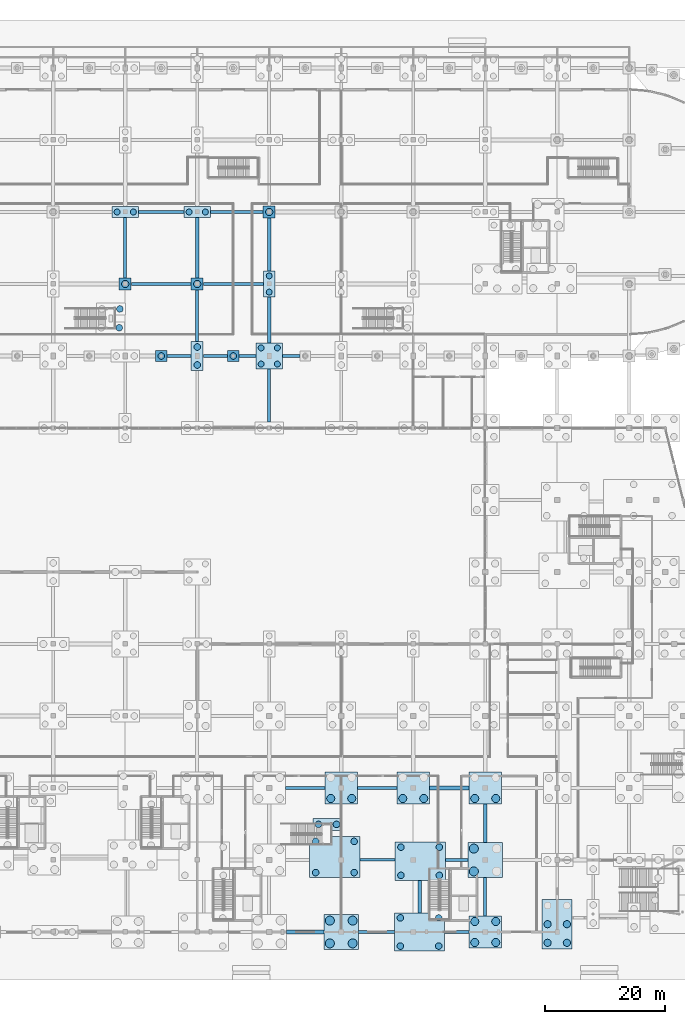
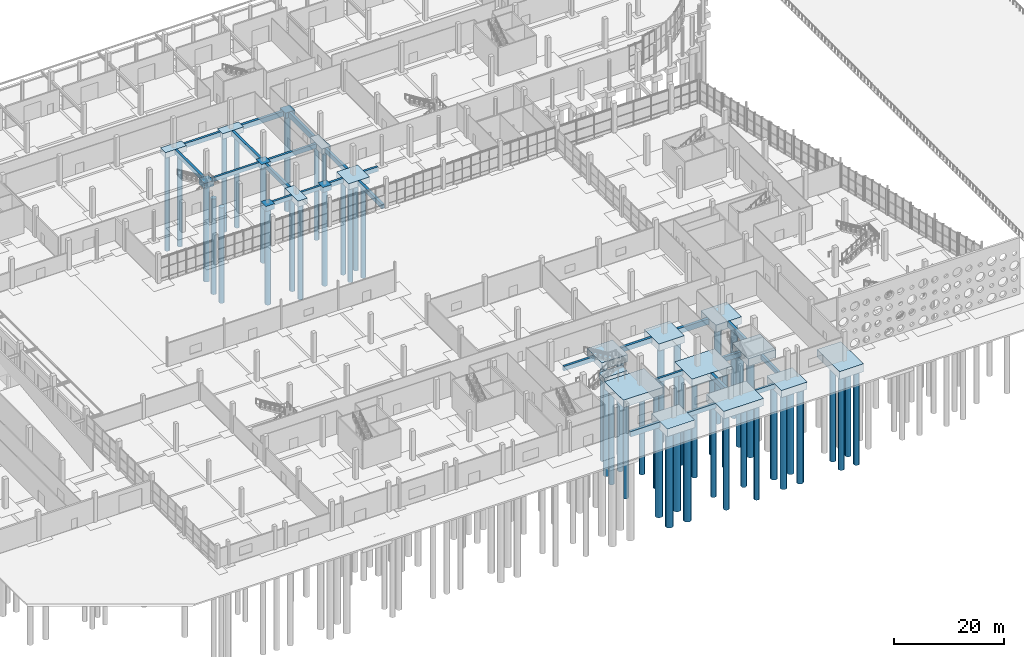
# One storey, part 7 of 117: 53 piles, 46 footings.
"""IFC4 building model written with IfcOpenShell, lengths in metres."""

from ifc_helpers import new_model, si_unit, direction, frame, origin, origin_2d, place, context, subcontext, project, spatial, rectangle, circle, extrude, material, material_profile, profile_set, type_object, element, save


model = new_model("IFC4")

# Units and contexts
model_context = context("Model", 3, precision=1e-05, world=origin(), true_north=direction((0.0, 1.0)))
body_context = subcontext(model_context, "Body", "Model", "MODEL_VIEW")
ifc_project = project(units=[si_unit("LENGTHUNIT", "METRE"), si_unit("AREAUNIT", "SQUARE_METRE"), si_unit("VOLUMEUNIT", "CUBIC_METRE"), si_unit("PLANEANGLEUNIT", "RADIAN"), si_unit("MASSUNIT", "GRAM", prefix="KILO")], contexts=[model_context])

# Site, building, storey
site_placement = place(None, origin())
site = spatial("IfcSite", under=ifc_project, at=site_placement, CompositionType="ELEMENT")
building_placement = place(site_placement, origin())
building = spatial("IfcBuilding", under=site, at=building_placement, Name="Kamomehara Wholesale Market", CompositionType="ELEMENT")
storey_placement = place(building_placement, origin())
storey = spatial("IfcBuildingStorey", under=building, at=storey_placement, Name="L00", CompositionType="ELEMENT", Elevation=0.0)

# Footings
ifc_material_1 = material(Name="Concrete Fc30 (C30/37)", Category="concrete")
footing_type_1 = type_object("IfcFootingType", Name="CAP-1P-1850", PredefinedType="PILE_CAP", material=ifc_material_1)
for number, where, z_axis, x_axis, name in (
    (1, (102.0, 108.0, -1.14990234375), (0.0, 0.0, 1.0), (1.0, 0.0, 0.0), "Pile cap PC-02"),
    (2, (114.0, 108.0, -1.14990234375), (0.0, 0.0, 1.0), (1.0, 0.0, 0.0), "Pile cap PC-02"),
):
    element("IfcFooting", number, at=place(storey_placement, frame(where, z_axis=z_axis, x_axis=x_axis)), inside=storey, type_object=footing_type_1, Name=name, PredefinedType="PILE_CAP", context=body_context, shape_type="SweptSolid", body=[
        extrude(rectangle(XDim=1.85009765625, YDim=1.85009765625, at=origin_2d()), origin(), (0.0, 0.0, 1.0), 1.14990234375),
    ])
ifc_material_2 = material(Name="Concrete Fc30 (C30/37)", Category="concrete")
footing_type_2 = type_object("IfcFootingType", Name="CAP-1P-2000", PredefinedType="PILE_CAP", material=ifc_material_2)
for number, where, z_axis, x_axis, name in (
    (3, (96.0, 120.0, -1.2001953125), (0.0, 0.0, 1.0), (1.0, 0.0, 0.0), "Pile cap PC-03"),
    (4, (108.0, 120.0, -1.2001953125), (0.0, 0.0, 1.0), (1.0, 0.0, 0.0), "Pile cap PC-03"),
    (5, (120.0, 132.0, -1.2001953125), (0.0, 0.0, 1.0), (1.0, 0.0, 0.0), "Pile cap PC-03"),
):
    element("IfcFooting", number, at=place(storey_placement, frame(where, z_axis=z_axis, x_axis=x_axis)), inside=storey, type_object=footing_type_2, Name=name, PredefinedType="PILE_CAP", context=body_context, shape_type="SweptSolid", body=[
        extrude(rectangle(XDim=2.0, YDim=2.0, at=origin_2d()), origin(), (0.0, 0.0, 1.0), 1.199951171875),
    ])
ifc_material_3 = material(Name="Concrete Fc30 (C30/37)", Category="concrete")
footing_type_3 = type_object("IfcFootingType", Name="CAP-2PX-4400", PredefinedType="PILE_CAP", material=ifc_material_3)
for number, where, z_axis, x_axis, name in (
    (6, (96.0, 132.0, -1.25), (0.0, 0.0, 1.0), (1.0, 0.0, 0.0), "Pile cap PC-04"),
    (7, (108.0, 132.0, -1.25), (0.0, 0.0, 1.0), (1.0, 0.0, 0.0), "Pile cap PC-04"),
):
    element("IfcFooting", number, at=place(storey_placement, frame(where, z_axis=z_axis, x_axis=x_axis)), inside=storey, type_object=footing_type_3, Name=name, PredefinedType="PILE_CAP", context=body_context, shape_type="SweptSolid", body=[
        extrude(rectangle(XDim=4.39990234375, YDim=1.85009765625, at=origin_2d()), origin(), (0.0, 0.0, 1.0), 1.25),
    ])
ifc_material_4 = material(Name="Concrete Fc30 (C30/37)", Category="concrete")
footing_type_4 = type_object("IfcFootingType", Name="CAP-2PX-4800", PredefinedType="PILE_CAP", material=ifc_material_4)
footing_1_placement = place(storey_placement, frame((129.705078125, 29.929931640625, -1.2998046875), z_axis=(0.0, 0.0, 1.0), x_axis=(1.0, 0.0, 0.0)))
element("IfcFooting", 8, at=footing_1_placement, inside=storey, type_object=footing_type_4, Name="Pile cap PC-06", PredefinedType="PILE_CAP", context=body_context, shape_type="SweptSolid", body=[
    extrude(rectangle(XDim=4.800048828125, YDim=2.0, at=origin_2d()), origin(), (0.0, 0.0, 1.0), 1.300048828125),
])
ifc_material_5 = material(Name="Concrete Fc30 (C30/37)", Category="concrete")
footing_type_5 = type_object("IfcFootingType", Name="CAP-2PY-4400", PredefinedType="PILE_CAP", material=ifc_material_5)
footing_2_placement = place(storey_placement, frame((120.0, 120.0, -1.25), z_axis=(0.0, 0.0, 1.0), x_axis=(1.0, 0.0, 0.0)))
element("IfcFooting", 9, at=footing_2_placement, inside=storey, type_object=footing_type_5, Name="Pile cap PC-05", PredefinedType="PILE_CAP", context=body_context, shape_type="SweptSolid", body=[
    extrude(rectangle(XDim=1.85009765625, YDim=4.39990234375, at=origin_2d()), origin(), (0.0, 0.0, 1.0), 1.25),
])
ifc_material_6 = material(Name="Concrete Fc30 (C30/37)", Category="concrete")
footing_type_6 = type_object("IfcFootingType", Name="CAP-2PY-4800", PredefinedType="PILE_CAP", material=ifc_material_6)
footing_3_placement = place(storey_placement, frame((108.0, 108.0, -1.2998046875), z_axis=(0.0, 0.0, 1.0), x_axis=(1.0, 0.0, 0.0)))
element("IfcFooting", 10, at=footing_3_placement, inside=storey, type_object=footing_type_6, Name="Pile cap PC-07", PredefinedType="PILE_CAP", context=body_context, shape_type="SweptSolid", body=[
    extrude(rectangle(XDim=2.0, YDim=4.800048828125, at=origin_2d()), origin(), (0.0, 0.0, 1.0), 1.300048828125),
])
ifc_material_7 = material(Name="Concrete Fc30 (C30/37)", Category="concrete")
footing_type_7 = type_object("IfcFootingType", Name="CAP-4P-4400", PredefinedType="PILE_CAP", material=ifc_material_7)
footing_4_placement = place(storey_placement, frame((120.0, 108.0, -1.39990234375), z_axis=(0.0, 0.0, 1.0), x_axis=(1.0, 0.0, 0.0)))
element("IfcFooting", 11, at=footing_4_placement, inside=storey, type_object=footing_type_7, Name="Pile cap PC-10", PredefinedType="PILE_CAP", context=body_context, shape_type="SweptSolid", body=[
    extrude(rectangle(XDim=4.39990234375, YDim=4.39990234375, at=origin_2d()), origin(), (0.0, 0.0, 1.0), 1.39990234375),
])
ifc_material_8 = material(Name="Concrete Fc30 (C30/37)", Category="concrete")
footing_type_8 = type_object("IfcFootingType", Name="CAP-4P-5400", PredefinedType="PILE_CAP", material=ifc_material_8)
for number, where, z_axis, x_axis, name in (
    (12, (132.0, 36.0, -1.60009765625), (0.0, 0.0, 1.0), (1.0, 0.0, 0.0), "Pile cap PC-13"),
    (13, (144.0, 36.0, -1.60009765625), (0.0, 0.0, 1.0), (1.0, 0.0, 0.0), "Pile cap PC-13"),
    (14, (156.0, 12.0, -1.60009765625), (0.0, 0.0, 1.0), (1.0, 0.0, 0.0), "Pile cap PC-13"),
    (15, (156.0, 36.0, -1.60009765625), (0.0, 0.0, 1.0), (1.0, 0.0, 0.0), "Pile cap PC-13"),
):
    element("IfcFooting", number, at=place(storey_placement, frame(where, z_axis=z_axis, x_axis=x_axis)), inside=storey, type_object=footing_type_8, Name=name, PredefinedType="PILE_CAP", context=body_context, shape_type="SweptSolid", body=[
        extrude(rectangle(XDim=5.39990234375, YDim=5.39990234375, at=origin_2d()), origin(), (0.0, 0.0, 1.0), 1.60009765625),
    ])
ifc_material_9 = material(Name="Concrete Fc30 (C30/37)", Category="concrete")
footing_type_9 = type_object("IfcFootingType", Name="CAP-4P-5800", PredefinedType="PILE_CAP", material=ifc_material_9)
for number, where, z_axis, x_axis, name in (
    (16, (132.0, 12.0, -1.7001953125), (0.0, 0.0, 1.0), (1.0, 0.0, 0.0), "Pile cap PC-14"),
    (17, (156.0, 24.0, -1.7001953125), (0.0, 0.0, 1.0), (1.0, 0.0, 0.0), "Pile cap PC-14"),
):
    element("IfcFooting", number, at=place(storey_placement, frame(where, z_axis=z_axis, x_axis=x_axis)), inside=storey, type_object=footing_type_9, Name=name, PredefinedType="PILE_CAP", context=body_context, shape_type="SweptSolid", body=[
        extrude(rectangle(XDim=5.800048828125, YDim=5.800048828125, at=origin_2d()), origin(), (0.0, 0.0, 1.0), 1.699951171875),
    ])
ifc_material_10 = material(Name="Concrete Fc30 (C30/37)", Category="concrete")
footing_type_10 = type_object("IfcFootingType", Name="CAP-6PY-8200", PredefinedType="PILE_CAP", material=ifc_material_10)
footing_5_placement = place(storey_placement, frame((168.0, 13.300048828125, -1.75), z_axis=(0.0, 0.0, 1.0), x_axis=(1.0, 0.0, 0.0)))
element("IfcFooting", 18, at=footing_5_placement, inside=storey, type_object=footing_type_10, Name="Pile cap PC-18", PredefinedType="PILE_CAP", context=body_context, shape_type="SweptSolid", body=[
    extrude(rectangle(XDim=5.0, YDim=8.199951171875, at=origin_2d()), origin(), (0.0, 0.0, 1.0), 1.75),
])
ifc_material_11 = material(Name="Concrete Fc30 (C30/37)", Category="concrete")
footing_type_11 = type_object("IfcFootingType", Name="CAP-CMB-840x640", PredefinedType="PILE_CAP", material=ifc_material_11)
for number, where, z_axis, x_axis, name in (
    (19, (145.050048828125, 12.0, -1.64990234375), (0.0, 0.0, 1.0), (1.0, 0.0, 0.0), "Pile cap PCC-84x64"),
    (20, (145.14990234375, 23.7880859375, -1.64990234375), (0.0, 0.0, 1.0), (1.0, 0.0, 0.0), "Pile cap PCC-84x64"),
):
    element("IfcFooting", number, at=place(storey_placement, frame(where, z_axis=z_axis, x_axis=x_axis)), inside=storey, type_object=footing_type_11, Name=name, PredefinedType="PILE_CAP", context=body_context, shape_type="SweptSolid", body=[
        extrude(rectangle(XDim=8.39990234375, YDim=6.39990234375, at=origin_2d()), origin(), (0.0, 0.0, 1.0), 1.64990234375),
    ])
ifc_material_12 = material(Name="Concrete Fc30 (C30/37)", Category="concrete")
footing_type_12 = type_object("IfcFootingType", Name="CAP-CMB-840x690", PredefinedType="PILE_CAP", material=ifc_material_12)
footing_6_placement = place(storey_placement, frame((130.946044921875, 24.5, -1.64990234375), z_axis=(0.0, 0.0, 1.0), x_axis=(1.0, 0.0, 0.0)))
element("IfcFooting", 21, at=footing_6_placement, inside=storey, type_object=footing_type_12, Name="Pile cap PCC-84x69", PredefinedType="PILE_CAP", context=body_context, shape_type="SweptSolid", body=[
    extrude(rectangle(XDim=8.39990234375, YDim=6.89990234375, at=origin_2d()), origin(), (0.0, 0.0, 1.0), 1.64990234375),
])
ifc_material_13 = material(Name="Concrete Fc30 (C30/37)", Category="concrete")
ifc_material_profile_1 = material_profile(ifc_material_13, rectangle(XDim=0.449951171875, YDim=0.89990234375, at=origin_2d()), Name="RC-FTB-450x900")
ifc_profile_set_1 = profile_set([ifc_material_profile_1], Name="Concrete Fc30 (C30/37)")
footing_type_13 = type_object("IfcFootingType", Name="FTB-450x900", PredefinedType="FOOTING_BEAM", material=ifc_profile_set_1)
footing_7_placement = place(storey_placement, frame((97.001953125, 120.0, -0.449951171875), z_axis=(1.0, 0.0, 0.0), x_axis=(0.0, 1.0, 0.0)))
element("IfcFooting", 22, at=footing_7_placement, inside=storey, type_object=footing_type_13, Name="Foundation tie beam 99", PredefinedType="FOOTING_BEAM", context=body_context, shape_type="SweptSolid", body=[
    extrude(rectangle(XDim=0.449951171875, YDim=0.89990234375, at=origin_2d()), origin(), (0.0, 0.0, 1.0), 9.99609375),
])
for number, where, z_axis, x_axis, name in (
    (23, (102.927001953125, 108.0, -0.449951171875), (1.0, 0.0, 0.0), (0.0, 1.0, 0.0), "Foundation tie beam 103"),
    (24, (109.001953125, 108.0, -0.449951171875), (1.0, 0.0, 0.0), (0.0, 1.0, 0.0), "Foundation tie beam 111"),
):
    element("IfcFooting", number, at=place(storey_placement, frame(where, z_axis=z_axis, x_axis=x_axis)), inside=storey, type_object=footing_type_13, Name=name, PredefinedType="FOOTING_BEAM", context=body_context, shape_type="SweptSolid", body=[
        extrude(rectangle(XDim=0.449951171875, YDim=0.89990234375, at=origin_2d()), origin(), (0.0, 0.0, 1.0), 4.071044921875),
    ])
footing_8_placement = place(storey_placement, frame((135.14794921875, 24.01904296875, -0.449951171875), z_axis=(1.0, 0.0, 0.0), x_axis=(0.0, 1.0, 0.0)))
element("IfcFooting", 25, at=footing_8_placement, inside=storey, type_object=footing_type_13, Name="Foundation tie beam 131", PredefinedType="FOOTING_BEAM", context=body_context, shape_type="SweptSolid", body=[
    extrude(rectangle(XDim=0.449951171875, YDim=0.89990234375, at=origin_2d()), origin(), (0.0, 0.0, 1.0), 5.800048828125),
])
ifc_material_14 = material(Name="Concrete Fc30 (C30/37)", Category="concrete")
ifc_material_profile_2 = material_profile(ifc_material_14, rectangle(XDim=0.5, YDim=1.0, at=origin_2d()), Name="RC-FTB-500x1000")
ifc_profile_set_2 = profile_set([ifc_material_profile_2], Name="Concrete Fc30 (C30/37)")
footing_type_14 = type_object("IfcFootingType", Name="FTB-500x1000", PredefinedType="FOOTING_BEAM", material=ifc_profile_set_2)
footing_9_placement = place(storey_placement, frame((98.201904296875, 132.0, -0.5), z_axis=(1.0, 0.0, 0.0), x_axis=(0.0, 1.0, 0.0)))
element("IfcFooting", 26, at=footing_9_placement, inside=storey, type_object=footing_type_14, Name="Foundation tie beam 100", PredefinedType="FOOTING_BEAM", context=body_context, shape_type="SweptSolid", body=[
    extrude(rectangle(XDim=0.5, YDim=1.0, at=origin_2d()), origin(), (0.0, 0.0, 1.0), 7.59619140625),
])
footing_10_placement = place(storey_placement, frame((109.001953125, 120.0, -0.5), z_axis=(1.0, 0.0, 0.0), x_axis=(0.0, 1.0, 0.0)))
element("IfcFooting", 27, at=footing_10_placement, inside=storey, type_object=footing_type_14, Name="Foundation tie beam 112", PredefinedType="FOOTING_BEAM", context=body_context, shape_type="SweptSolid", body=[
    extrude(rectangle(XDim=0.5, YDim=1.0, at=origin_2d()), origin(), (0.0, 0.0, 1.0), 10.071044921875),
])
footing_11_placement = place(storey_placement, frame((114.927001953125, 108.0, -0.5), z_axis=(1.0, 0.0, 0.0), x_axis=(0.0, 1.0, 0.0)))
element("IfcFooting", 28, at=footing_11_placement, inside=storey, type_object=footing_type_14, Name="Foundation tie beam 116", PredefinedType="FOOTING_BEAM", context=body_context, shape_type="SweptSolid", body=[
    extrude(rectangle(XDim=0.5, YDim=1.0, at=origin_2d()), origin(), (0.0, 0.0, 1.0), 2.87109375),
])
footing_12_placement = place(storey_placement, frame((122.701904296875, 36.0, -0.5), z_axis=(1.0, 0.0, 0.0), x_axis=(0.0, 1.0, 0.0)))
element("IfcFooting", 29, at=footing_12_placement, inside=storey, type_object=footing_type_14, Name="Foundation tie beam 120", PredefinedType="FOOTING_BEAM", context=body_context, shape_type="SweptSolid", body=[
    extrude(rectangle(XDim=0.5, YDim=1.0, at=origin_2d()), origin(), (0.0, 0.0, 1.0), 6.59619140625),
])
footing_13_placement = place(storey_placement, frame((122.201904296875, 108.0, -0.5), z_axis=(1.0, 0.0, 0.0), x_axis=(0.0, 1.0, 0.0)))
element("IfcFooting", 30, at=footing_13_placement, inside=storey, type_object=footing_type_14, Name="Foundation tie beam 124", PredefinedType="FOOTING_BEAM", context=body_context, shape_type="SweptSolid", body=[
    extrude(rectangle(XDim=0.5, YDim=1.0, at=origin_2d()), origin(), (0.0, 0.0, 1.0), 2.946044921875),
])
footing_14_placement = place(storey_placement, frame((134.902099609375, 12.0, -0.5), z_axis=(1.0, 0.0, 0.0), x_axis=(0.0, 1.0, 0.0)))
element("IfcFooting", 31, at=footing_14_placement, inside=storey, type_object=footing_type_14, Name="Foundation tie beam 132", PredefinedType="FOOTING_BEAM", context=body_context, shape_type="SweptSolid", body=[
    extrude(rectangle(XDim=0.5, YDim=1.0, at=origin_2d()), origin(), (0.0, 0.0, 1.0), 5.94580078125),
])
footing_15_placement = place(storey_placement, frame((149.251953125, 12.0, -0.5), z_axis=(1.0, 0.0, 0.0), x_axis=(0.0, 1.0, 0.0)))
element("IfcFooting", 32, at=footing_15_placement, inside=storey, type_object=footing_type_14, Name="Foundation tie beam 144", PredefinedType="FOOTING_BEAM", context=body_context, shape_type="SweptSolid", body=[
    extrude(rectangle(XDim=0.5, YDim=1.0, at=origin_2d()), origin(), (0.0, 0.0, 1.0), 4.046142578125),
])
footing_16_placement = place(storey_placement, frame((96.0, 121.001953125, -0.5), z_axis=(0.0, 1.0, 0.0), x_axis=(-1.0, 0.0, 0.0)))
element("IfcFooting", 33, at=footing_16_placement, inside=storey, type_object=footing_type_14, Name="Foundation tie beam 280", PredefinedType="FOOTING_BEAM", context=body_context, shape_type="SweptSolid", body=[
    extrude(rectangle(XDim=0.5, YDim=1.0, at=origin_2d()), origin(), (0.0, 0.0, 1.0), 10.071044921875),
])
footing_17_placement = place(storey_placement, frame((108.0, 110.402099609375, -0.5), z_axis=(0.0, 1.0, 0.0), x_axis=(-1.0, 0.0, 0.0)))
element("IfcFooting", 34, at=footing_17_placement, inside=storey, type_object=footing_type_14, Name="Foundation tie beam 288", PredefinedType="FOOTING_BEAM", context=body_context, shape_type="SweptSolid", body=[
    extrude(rectangle(XDim=0.5, YDim=1.0, at=origin_2d()), origin(), (0.0, 0.0, 1.0), 8.595947265625),
])
footing_18_placement = place(storey_placement, frame((120.0, 97.001953125, -0.5), z_axis=(0.0, 1.0, 0.0), x_axis=(-1.0, 0.0, 0.0)))
element("IfcFooting", 35, at=footing_18_placement, inside=storey, type_object=footing_type_14, Name="Foundation tie beam 296", PredefinedType="FOOTING_BEAM", context=body_context, shape_type="SweptSolid", body=[
    extrude(rectangle(XDim=0.5, YDim=1.0, at=origin_2d()), origin(), (0.0, 0.0, 1.0), 8.796142578125),
])
footing_19_placement = place(storey_placement, frame((156.0, 14.701904296875, -0.5), z_axis=(0.0, 1.0, 0.0), x_axis=(-1.0, 0.0, 0.0)))
element("IfcFooting", 36, at=footing_19_placement, inside=storey, type_object=footing_type_14, Name="Foundation tie beam 316", PredefinedType="FOOTING_BEAM", context=body_context, shape_type="SweptSolid", body=[
    extrude(rectangle(XDim=0.5, YDim=1.0, at=origin_2d()), origin(), (0.0, 0.0, 1.0), 6.39599609375),
])
ifc_material_15 = material(Name="Concrete Fc30 (C30/37)", Category="concrete")
ifc_material_profile_3 = material_profile(ifc_material_15, rectangle(XDim=0.550048828125, YDim=1.10009765625, at=origin_2d()), Name="RC-FTB-550x1100")
ifc_profile_set_3 = profile_set([ifc_material_profile_3], Name="Concrete Fc30 (C30/37)")
footing_type_15 = type_object("IfcFootingType", Name="FTB-550x1100", PredefinedType="FOOTING_BEAM", material=ifc_profile_set_3)
footing_20_placement = place(storey_placement, frame((110.201904296875, 132.0, -0.550048828125), z_axis=(1.0, 0.0, 0.0), x_axis=(0.0, 1.0, 0.0)))
element("IfcFooting", 37, at=footing_20_placement, inside=storey, type_object=footing_type_15, Name="Foundation tie beam 113", PredefinedType="FOOTING_BEAM", context=body_context, shape_type="SweptSolid", body=[
    extrude(rectangle(XDim=0.550048828125, YDim=1.10009765625, at=origin_2d()), origin(), (0.0, 0.0, 1.0), 8.796142578125),
])
footing_21_placement = place(storey_placement, frame((134.701904296875, 36.0, -0.550048828125), z_axis=(1.0, 0.0, 0.0), x_axis=(0.0, 1.0, 0.0)))
element("IfcFooting", 38, at=footing_21_placement, inside=storey, type_object=footing_type_15, Name="Foundation tie beam 133", PredefinedType="FOOTING_BEAM", context=body_context, shape_type="SweptSolid", body=[
    extrude(rectangle(XDim=0.550048828125, YDim=1.10009765625, at=origin_2d()), origin(), (0.0, 0.0, 1.0), 6.59619140625),
])
footing_22_placement = place(storey_placement, frame((149.35205078125, 24.0, -0.550048828125), z_axis=(1.0, 0.0, 0.0), x_axis=(0.0, 1.0, 0.0)))
element("IfcFooting", 39, at=footing_22_placement, inside=storey, type_object=footing_type_15, Name="Foundation tie beam 145", PredefinedType="FOOTING_BEAM", context=body_context, shape_type="SweptSolid", body=[
    extrude(rectangle(XDim=0.550048828125, YDim=1.10009765625, at=origin_2d()), origin(), (0.0, 0.0, 1.0), 3.745849609375),
])
footing_23_placement = place(storey_placement, frame((108.0, 121.001953125, -0.550048828125), z_axis=(0.0, 1.0, 0.0), x_axis=(-1.0, 0.0, 0.0)))
element("IfcFooting", 40, at=footing_23_placement, inside=storey, type_object=footing_type_15, Name="Foundation tie beam 289", PredefinedType="FOOTING_BEAM", context=body_context, shape_type="SweptSolid", body=[
    extrude(rectangle(XDim=0.550048828125, YDim=1.10009765625, at=origin_2d()), origin(), (0.0, 0.0, 1.0), 10.071044921875),
])
footing_24_placement = place(storey_placement, frame((120.0, 110.201904296875, -0.550048828125), z_axis=(0.0, 1.0, 0.0), x_axis=(-1.0, 0.0, 0.0)))
element("IfcFooting", 41, at=footing_24_placement, inside=storey, type_object=footing_type_15, Name="Foundation tie beam 297", PredefinedType="FOOTING_BEAM", context=body_context, shape_type="SweptSolid", body=[
    extrude(rectangle(XDim=0.550048828125, YDim=1.10009765625, at=origin_2d()), origin(), (0.0, 0.0, 1.0), 7.59619140625),
])
footing_25_placement = place(storey_placement, frame((145.10009765625, 15.201904296875, -0.550048828125), z_axis=(0.0, 1.0, 0.0), x_axis=(-1.0, 0.0, 0.0)))
element("IfcFooting", 42, at=footing_25_placement, inside=storey, type_object=footing_type_15, Name="Foundation tie beam 309", PredefinedType="FOOTING_BEAM", context=body_context, shape_type="SweptSolid", body=[
    extrude(rectangle(XDim=0.550048828125, YDim=1.10009765625, at=origin_2d()), origin(), (0.0, 0.0, 1.0), 5.384033203125),
])
footing_26_placement = place(storey_placement, frame((156.0, 26.902099609375, -0.550048828125), z_axis=(0.0, 1.0, 0.0), x_axis=(-1.0, 0.0, 0.0)))
element("IfcFooting", 43, at=footing_26_placement, inside=storey, type_object=footing_type_15, Name="Foundation tie beam 317", PredefinedType="FOOTING_BEAM", context=body_context, shape_type="SweptSolid", body=[
    extrude(rectangle(XDim=0.550048828125, YDim=1.10009765625, at=origin_2d()), origin(), (0.0, 0.0, 1.0), 6.39599609375),
])
ifc_material_16 = material(Name="Concrete Fc30 (C30/37)", Category="concrete")
ifc_material_profile_4 = material_profile(ifc_material_16, rectangle(XDim=0.60009765625, YDim=1.199951171875, at=origin_2d()), Name="RC-FTB-600x1200")
ifc_profile_set_4 = profile_set([ifc_material_profile_4], Name="Concrete Fc30 (C30/37)")
footing_type_16 = type_object("IfcFootingType", Name="FTB-600x1200", PredefinedType="FOOTING_BEAM", material=ifc_profile_set_4)
footing_27_placement = place(storey_placement, frame((122.902099609375, 12.0, -0.60009765625), z_axis=(1.0, 0.0, 0.0), x_axis=(0.0, 1.0, 0.0)))
element("IfcFooting", 44, at=footing_27_placement, inside=storey, type_object=footing_type_16, Name="Foundation tie beam 118", PredefinedType="FOOTING_BEAM", context=body_context, shape_type="SweptSolid", body=[
    extrude(rectangle(XDim=0.60009765625, YDim=1.199951171875, at=origin_2d()), origin(), (0.0, 0.0, 1.0), 6.19580078125),
])
footing_28_placement = place(storey_placement, frame((146.701904296875, 36.0, -0.60009765625), z_axis=(1.0, 0.0, 0.0), x_axis=(0.0, 1.0, 0.0)))
element("IfcFooting", 45, at=footing_28_placement, inside=storey, type_object=footing_type_16, Name="Foundation tie beam 146", PredefinedType="FOOTING_BEAM", context=body_context, shape_type="SweptSolid", body=[
    extrude(rectangle(XDim=0.60009765625, YDim=1.199951171875, at=origin_2d()), origin(), (0.0, 0.0, 1.0), 6.59619140625),
])
footing_29_placement = place(storey_placement, frame((120.0, 122.201904296875, -0.60009765625), z_axis=(0.0, 1.0, 0.0), x_axis=(-1.0, 0.0, 0.0)))
element("IfcFooting", 46, at=footing_29_placement, inside=storey, type_object=footing_type_16, Name="Foundation tie beam 298", PredefinedType="FOOTING_BEAM", context=body_context, shape_type="SweptSolid", body=[
    extrude(rectangle(XDim=0.60009765625, YDim=1.199951171875, at=origin_2d()), origin(), (0.0, 0.0, 1.0), 8.796142578125),
])

# Piles
ifc_material_17 = material(Name="Concrete Fc30 (C30/37)", Category="concrete")
ifc_material_profile_5 = material_profile(ifc_material_17, circle(Radius=0.5, at=origin_2d()), Name="RC-PILE-D1000")
ifc_profile_set_5 = profile_set([ifc_material_profile_5], Name="Concrete Fc30 (C30/37)")
pile_type_1 = type_object("IfcPileType", Name="PILE-D1000", PredefinedType="BORED", material=ifc_profile_set_5)
for number, where, z_axis, x_axis, name in (
    (47, (94.64990234375, 132.0, -1.14990234375), (0.0, 0.0, -1.0), (1.0, 0.0, 0.0), "Bored pile 113.334"),
    (48, (97.35009765625, 132.0, -1.14990234375), (0.0, 0.0, -1.0), (1.0, 0.0, 0.0), "Bored pile 113.335"),
    (49, (106.64990234375, 132.0, -1.14990234375), (0.0, 0.0, -1.0), (1.0, 0.0, 0.0), "Bored pile 127.369"),
    (50, (109.35009765625, 132.0, -1.14990234375), (0.0, 0.0, -1.0), (1.0, 0.0, 0.0), "Bored pile 127.370"),
):
    element("IfcPile", number, at=place(storey_placement, frame(where, z_axis=z_axis, x_axis=x_axis)), inside=storey, type_object=pile_type_1, Name=name, PredefinedType="BORED", context=body_context, shape_type="SweptSolid", body=[
        extrude(circle(Radius=0.5, at=origin_2d()), origin(), (0.0, 0.0, 1.0), 21.35009765625),
    ])
for number, where, z_axis, x_axis, name in (
    (51, (118.64990234375, 106.64990234375, -1.300048828125), (0.0, 0.0, -1.0), (1.0, 0.0, 0.0), "Bored pile 138.397"),
    (52, (121.35009765625, 106.64990234375, -1.300048828125), (0.0, 0.0, -1.0), (1.0, 0.0, 0.0), "Bored pile 138.398"),
    (53, (118.64990234375, 109.35009765625, -1.300048828125), (0.0, 0.0, -1.0), (1.0, 0.0, 0.0), "Bored pile 138.399"),
    (54, (121.35009765625, 109.35009765625, -1.300048828125), (0.0, 0.0, -1.0), (1.0, 0.0, 0.0), "Bored pile 138.400"),
):
    element("IfcPile", number, at=place(storey_placement, frame(where, z_axis=z_axis, x_axis=x_axis)), inside=storey, type_object=pile_type_1, Name=name, PredefinedType="BORED", context=body_context, shape_type="SweptSolid", body=[
        extrude(circle(Radius=0.5, at=origin_2d()), origin(), (0.0, 0.0, 1.0), 21.199951171875),
    ])
for number, where, z_axis, x_axis, name in (
    (55, (120.0, 118.64990234375, -1.14990234375), (0.0, 0.0, -1.0), (1.0, 0.0, 0.0), "Bored pile 139.401"),
    (56, (120.0, 121.35009765625, -1.14990234375), (0.0, 0.0, -1.0), (1.0, 0.0, 0.0), "Bored pile 139.402"),
):
    element("IfcPile", number, at=place(storey_placement, frame(where, z_axis=z_axis, x_axis=x_axis)), inside=storey, type_object=pile_type_1, Name=name, PredefinedType="BORED", context=body_context, shape_type="SweptSolid", body=[
        extrude(circle(Radius=0.5, at=origin_2d()), origin(), (0.0, 0.0, 1.0), 21.35009765625),
    ])
ifc_material_18 = material(Name="Concrete Fc30 (C30/37)", Category="concrete")
ifc_material_profile_6 = material_profile(ifc_material_18, circle(Radius=0.550048828125, at=origin_2d()), Name="RC-PILE-D1100")
ifc_profile_set_6 = profile_set([ifc_material_profile_6], Name="Concrete Fc30 (C30/37)")
pile_type_2 = type_object("IfcPileType", Name="PILE-D1100", PredefinedType="BORED", material=ifc_profile_set_6)
for number, where, z_axis, x_axis, name in (
    (57, (95.001953125, 112.699951171875, -1.199951171875), (0.0, 0.0, -1.0), (1.0, 0.0, 0.0), "Bored pile 102.304"),
    (58, (95.114990234375, 115.840087890625, -1.199951171875), (0.0, 0.0, -1.0), (1.0, 0.0, 0.0), "Bored pile 103.306"),
):
    element("IfcPile", number, at=place(storey_placement, frame(where, z_axis=z_axis, x_axis=x_axis)), inside=storey, type_object=pile_type_2, Name=name, PredefinedType="BORED", context=body_context, shape_type="SweptSolid", body=[
        extrude(circle(Radius=0.550048828125, at=origin_2d()), origin(), (0.0, 0.0, 1.0), 21.300048828125),
    ])
pile_1_placement = place(storey_placement, frame((102.0, 108.0, -1.050048828125), z_axis=(0.0, 0.0, -1.0), x_axis=(1.0, 0.0, 0.0)))
element("IfcPile", 59, at=pile_1_placement, inside=storey, type_object=pile_type_2, Name="Bored pile 116.340", PredefinedType="BORED", context=body_context, shape_type="SweptSolid", body=[
    extrude(circle(Radius=0.550048828125, at=origin_2d()), origin(), (0.0, 0.0, 1.0), 21.449951171875),
])
for number, where, z_axis, x_axis, name in (
    (60, (108.0, 106.5, -1.199951171875), (0.0, 0.0, -1.0), (1.0, 0.0, 0.0), "Bored pile 125.366"),
    (61, (108.0, 109.5, -1.199951171875), (0.0, 0.0, -1.0), (1.0, 0.0, 0.0), "Bored pile 125.367"),
):
    element("IfcPile", number, at=place(storey_placement, frame(where, z_axis=z_axis, x_axis=x_axis)), inside=storey, type_object=pile_type_2, Name=name, PredefinedType="BORED", context=body_context, shape_type="SweptSolid", body=[
        extrude(circle(Radius=0.550048828125, at=origin_2d()), origin(), (0.0, 0.0, 1.0), 21.300048828125),
    ])
pile_2_placement = place(storey_placement, frame((114.0, 108.0, -1.050048828125), z_axis=(0.0, 0.0, -1.0), x_axis=(1.0, 0.0, 0.0)))
element("IfcPile", 62, at=pile_2_placement, inside=storey, type_object=pile_type_2, Name="Bored pile 130.375", PredefinedType="BORED", context=body_context, shape_type="SweptSolid", body=[
    extrude(circle(Radius=0.550048828125, at=origin_2d()), origin(), (0.0, 0.0, 1.0), 21.449951171875),
])
for number, where, z_axis, x_axis, name in (
    (63, (127.74609375, 21.89990234375, -1.550048828125), (0.0, 0.0, -1.0), (1.0, 0.0, 0.0), "Bored pile 145.412"),
    (64, (134.14599609375, 21.89990234375, -1.550048828125), (0.0, 0.0, -1.0), (1.0, 0.0, 0.0), "Bored pile 145.413"),
    (65, (127.74609375, 27.10009765625, -1.550048828125), (0.0, 0.0, -1.0), (1.0, 0.0, 0.0), "Bored pile 145.414"),
    (66, (134.14599609375, 27.10009765625, -1.550048828125), (0.0, 0.0, -1.0), (1.0, 0.0, 0.0), "Bored pile 145.415"),
):
    element("IfcPile", number, at=place(storey_placement, frame(where, z_axis=z_axis, x_axis=x_axis)), inside=storey, type_object=pile_type_2, Name=name, PredefinedType="BORED", context=body_context, shape_type="SweptSolid", body=[
        extrude(circle(Radius=0.550048828125, at=origin_2d()), origin(), (0.0, 0.0, 1.0), 20.949951171875),
    ])
for number, where, z_axis, x_axis, name in (
    (67, (128.205078125, 29.929931640625, -1.199951171875), (0.0, 0.0, -1.0), (1.0, 0.0, 0.0), "Bored pile 146.416"),
    (68, (131.205078125, 29.929931640625, -1.199951171875), (0.0, 0.0, -1.0), (1.0, 0.0, 0.0), "Bored pile 146.417"),
):
    element("IfcPile", number, at=place(storey_placement, frame(where, z_axis=z_axis, x_axis=x_axis)), inside=storey, type_object=pile_type_2, Name=name, PredefinedType="BORED", context=body_context, shape_type="SweptSolid", body=[
        extrude(circle(Radius=0.550048828125, at=origin_2d()), origin(), (0.0, 0.0, 1.0), 21.300048828125),
    ])
for number, where, z_axis, x_axis, name in (
    (69, (141.85009765625, 9.64990234375, -1.550048828125), (0.0, 0.0, -1.0), (1.0, 0.0, 0.0), "Bored pile 161.449"),
    (70, (148.25, 9.64990234375, -1.550048828125), (0.0, 0.0, -1.0), (1.0, 0.0, 0.0), "Bored pile 161.450"),
    (71, (141.85009765625, 14.35009765625, -1.550048828125), (0.0, 0.0, -1.0), (1.0, 0.0, 0.0), "Bored pile 161.451"),
    (72, (148.25, 14.35009765625, -1.550048828125), (0.0, 0.0, -1.0), (1.0, 0.0, 0.0), "Bored pile 161.452"),
    (73, (141.949951171875, 21.43798828125, -1.550048828125), (0.0, 0.0, -1.0), (1.0, 0.0, 0.0), "Bored pile 162.453"),
    (74, (148.35009765625, 21.43798828125, -1.550048828125), (0.0, 0.0, -1.0), (1.0, 0.0, 0.0), "Bored pile 162.454"),
    (75, (141.949951171875, 26.137939453125, -1.550048828125), (0.0, 0.0, -1.0), (1.0, 0.0, 0.0), "Bored pile 162.455"),
    (76, (148.35009765625, 26.137939453125, -1.550048828125), (0.0, 0.0, -1.0), (1.0, 0.0, 0.0), "Bored pile 162.456"),
):
    element("IfcPile", number, at=place(storey_placement, frame(where, z_axis=z_axis, x_axis=x_axis)), inside=storey, type_object=pile_type_2, Name=name, PredefinedType="BORED", context=body_context, shape_type="SweptSolid", body=[
        extrude(circle(Radius=0.550048828125, at=origin_2d()), origin(), (0.0, 0.0, 1.0), 20.949951171875),
    ])
ifc_material_19 = material(Name="Concrete Fc30 (C30/37)", Category="concrete")
ifc_material_profile_7 = material_profile(ifc_material_19, circle(Radius=0.60009765625, at=origin_2d()), Name="RC-PILE-D1200")
ifc_profile_set_7 = profile_set([ifc_material_profile_7], Name="Concrete Fc30 (C30/37)")
pile_type_3 = type_object("IfcPileType", Name="PILE-D1200", PredefinedType="BORED", material=ifc_profile_set_7)
for number, where, z_axis, x_axis, name in (
    (77, (96.0, 120.0, -1.10009765625), (0.0, 0.0, -1.0), (1.0, 0.0, 0.0), "Bored pile 112.333"),
    (78, (108.0, 120.0, -1.10009765625), (0.0, 0.0, -1.0), (1.0, 0.0, 0.0), "Bored pile 126.368"),
    (79, (120.0, 132.0, -1.10009765625), (0.0, 0.0, -1.0), (1.0, 0.0, 0.0), "Bored pile 140.403"),
):
    element("IfcPile", number, at=place(storey_placement, frame(where, z_axis=z_axis, x_axis=x_axis)), inside=storey, type_object=pile_type_3, Name=name, PredefinedType="BORED", context=body_context, shape_type="SweptSolid", body=[
        extrude(circle(Radius=0.60009765625, at=origin_2d()), origin(), (0.0, 0.0, 1.0), 21.39990234375),
    ])
for number, where, z_axis, x_axis, name in (
    (80, (166.39990234375, 10.199951171875, -1.64990234375), (0.0, 0.0, -1.0), (1.0, 0.0, 0.0), "Bored pile 189.536"),
    (81, (166.39990234375, 13.300048828125, -1.64990234375), (0.0, 0.0, -1.0), (1.0, 0.0, 0.0), "Bored pile 189.537"),
    (82, (169.60009765625, 10.199951171875, -1.64990234375), (0.0, 0.0, -1.0), (1.0, 0.0, 0.0), "Bored pile 189.539"),
    (83, (169.60009765625, 13.300048828125, -1.64990234375), (0.0, 0.0, -1.0), (1.0, 0.0, 0.0), "Bored pile 189.540"),
):
    element("IfcPile", number, at=place(storey_placement, frame(where, z_axis=z_axis, x_axis=x_axis)), inside=storey, type_object=pile_type_3, Name=name, PredefinedType="BORED", context=body_context, shape_type="SweptSolid", body=[
        extrude(circle(Radius=0.60009765625, at=origin_2d()), origin(), (0.0, 0.0, 1.0), 20.85009765625),
    ])
ifc_material_20 = material(Name="Concrete Fc30 (C30/37)", Category="concrete")
ifc_material_profile_8 = material_profile(ifc_material_20, circle(Radius=0.675048828125, at=origin_2d()), Name="RC-PILE-D1350")
ifc_profile_set_8 = profile_set([ifc_material_profile_8], Name="Concrete Fc30 (C30/37)")
pile_type_4 = type_object("IfcPileType", Name="PILE-D1350", PredefinedType="BORED", material=ifc_profile_set_8)
for number, where, z_axis, x_axis, name in (
    (84, (130.25, 34.25, -1.5), (0.0, 0.0, -1.0), (1.0, 0.0, 0.0), "Bored pile 148.422"),
    (85, (133.75, 34.25, -1.5), (0.0, 0.0, -1.0), (1.0, 0.0, 0.0), "Bored pile 148.423"),
    (86, (142.25, 34.25, -1.5), (0.0, 0.0, -1.0), (1.0, 0.0, 0.0), "Bored pile 163.457"),
    (87, (145.75, 34.25, -1.5), (0.0, 0.0, -1.0), (1.0, 0.0, 0.0), "Bored pile 163.458"),
    (88, (154.25, 10.25, -1.5), (0.0, 0.0, -1.0), (1.0, 0.0, 0.0), "Bored pile 174.484"),
    (89, (157.75, 10.25, -1.5), (0.0, 0.0, -1.0), (1.0, 0.0, 0.0), "Bored pile 174.485"),
    (90, (154.25, 13.75, -1.5), (0.0, 0.0, -1.0), (1.0, 0.0, 0.0), "Bored pile 174.486"),
    (91, (157.75, 13.75, -1.5), (0.0, 0.0, -1.0), (1.0, 0.0, 0.0), "Bored pile 174.487"),
    (92, (154.25, 34.25, -1.5), (0.0, 0.0, -1.0), (1.0, 0.0, 0.0), "Bored pile 176.492"),
    (93, (157.75, 34.25, -1.5), (0.0, 0.0, -1.0), (1.0, 0.0, 0.0), "Bored pile 176.493"),
):
    element("IfcPile", number, at=place(storey_placement, frame(where, z_axis=z_axis, x_axis=x_axis)), inside=storey, type_object=pile_type_4, Name=name, PredefinedType="BORED", context=body_context, shape_type="SweptSolid", body=[
        extrude(circle(Radius=0.675048828125, at=origin_2d()), origin(), (0.0, 0.0, 1.0), 21.0),
    ])
ifc_material_21 = material(Name="Concrete Fc30 (C30/37)", Category="concrete")
ifc_material_profile_9 = material_profile(ifc_material_21, circle(Radius=0.75, at=origin_2d()), Name="RC-PILE-D1500")
ifc_profile_set_9 = profile_set([ifc_material_profile_9], Name="Concrete Fc30 (C30/37)")
pile_type_5 = type_object("IfcPileType", Name="PILE-D1500", PredefinedType="BORED", material=ifc_profile_set_9)
for number, where, z_axis, x_axis, name in (
    (94, (130.10009765625, 10.10009765625, -1.60009765625), (0.0, 0.0, -1.0), (1.0, 0.0, 0.0), "Bored pile 147.418"),
    (95, (133.89990234375, 10.10009765625, -1.60009765625), (0.0, 0.0, -1.0), (1.0, 0.0, 0.0), "Bored pile 147.419"),
    (96, (130.10009765625, 13.89990234375, -1.60009765625), (0.0, 0.0, -1.0), (1.0, 0.0, 0.0), "Bored pile 147.420"),
    (97, (133.89990234375, 13.89990234375, -1.60009765625), (0.0, 0.0, -1.0), (1.0, 0.0, 0.0), "Bored pile 147.421"),
    (98, (154.10009765625, 22.10009765625, -1.60009765625), (0.0, 0.0, -1.0), (1.0, 0.0, 0.0), "Bored pile 175.488"),
    (99, (154.10009765625, 25.89990234375, -1.60009765625), (0.0, 0.0, -1.0), (1.0, 0.0, 0.0), "Bored pile 175.490"),
):
    element("IfcPile", number, at=place(storey_placement, frame(where, z_axis=z_axis, x_axis=x_axis)), inside=storey, type_object=pile_type_5, Name=name, PredefinedType="BORED", context=body_context, shape_type="SweptSolid", body=[
        extrude(circle(Radius=0.75, at=origin_2d()), origin(), (0.0, 0.0, 1.0), 20.89990234375),
    ])

save(model, "model.ifc")
